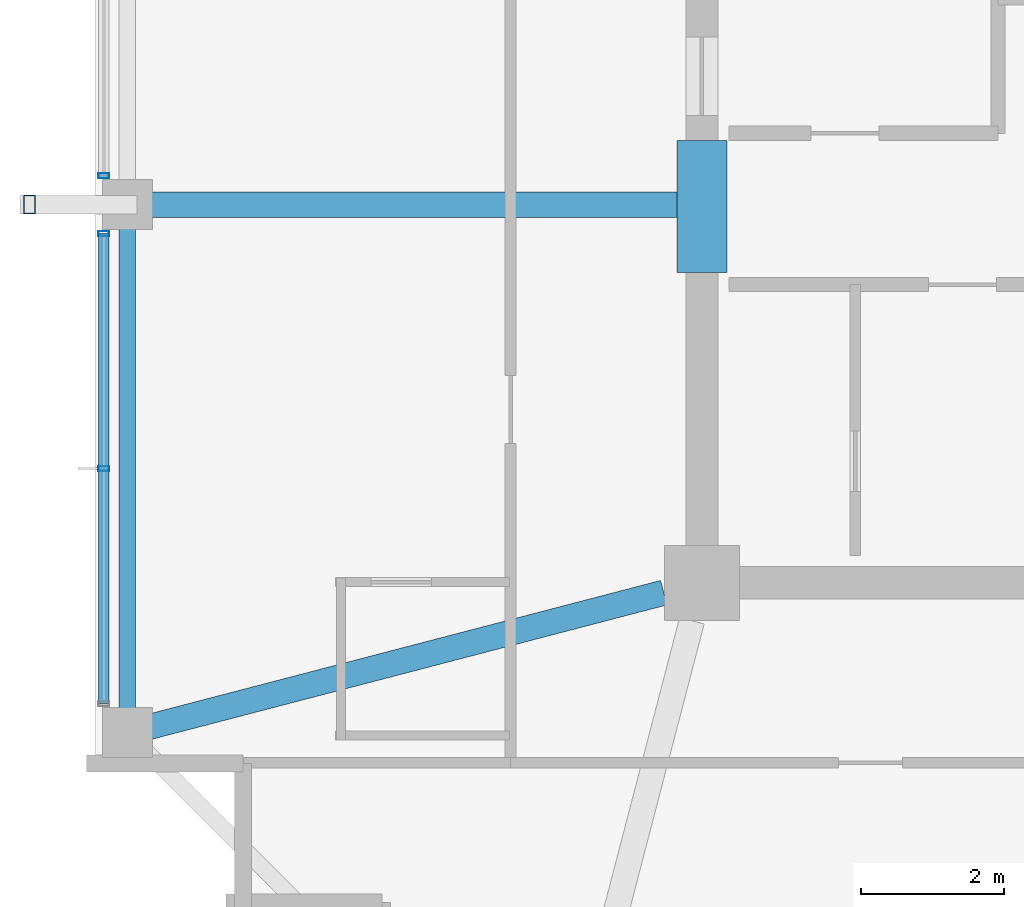
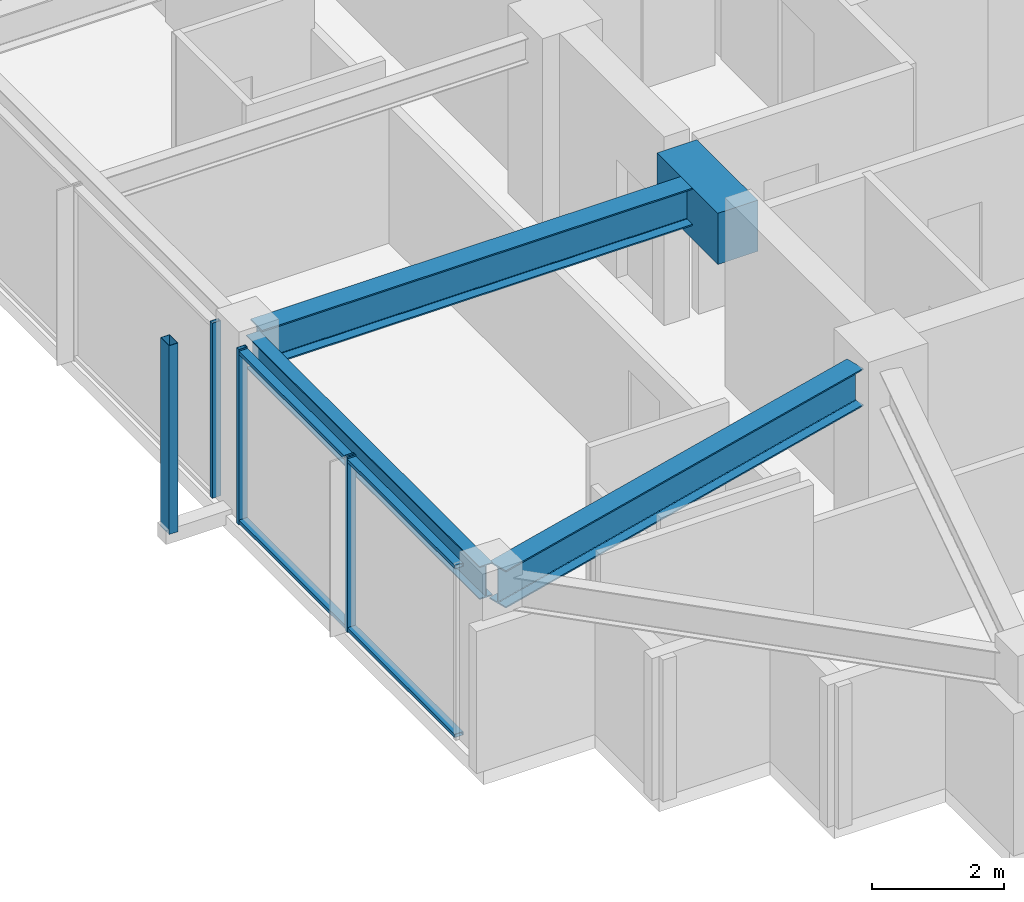
# One storey, part 4 of 29: 6 members, 4 beams, 2 elements without a shape of their own.
"""IFC4 building model written with IfcOpenShell, lengths in metres."""

from ifc_helpers import new_model, si_unit, direction, frame, origin, origin_2d, place, context, subcontext, project, spatial, rectangle, hollow_rectangle, i_section, extrude, material, material_profile, profile_set, type_object, element, aggregate, save


model = new_model("IFC4")

# Units and contexts
model_context = context("Model", 3, precision=1e-05, world=origin(), true_north=direction((0.0, 1.0)))
body_context = subcontext(model_context, "Body", "Model", "MODEL_VIEW")
ifc_project = project(units=[si_unit("LENGTHUNIT", "METRE"), si_unit("AREAUNIT", "SQUARE_METRE"), si_unit("VOLUMEUNIT", "CUBIC_METRE"), si_unit("PLANEANGLEUNIT", "RADIAN"), si_unit("MASSUNIT", "GRAM", prefix="KILO")], contexts=[model_context])

# Site, building, storey
site_placement = place(None, origin())
site = spatial("IfcSite", under=ifc_project, at=site_placement, CompositionType="ELEMENT")
building_placement = place(site_placement, origin())
building = spatial("IfcBuilding", under=site, at=building_placement, Name="Kolvaren Belvedere", CompositionType="ELEMENT")
storey_placement = place(building_placement, frame((0.0, 0.0, 244.39990234375)))
storey = spatial("IfcBuildingStorey", under=building, at=storey_placement, Name="L71", CompositionType="ELEMENT", Elevation=244.39990234375)

# Beams
ifc_material_1 = material(Name="Structural steel ASTM A992 Grade 50", Category="steel")
ifc_material_profile_1 = material_profile(ifc_material_1, i_section(OverallWidth=0.35498046875, OverallDepth=0.696044921875, WebThickness=0.015380859375, FlangeThickness=0.02490234375, FilletRadius=0.02197265625, at=origin_2d()), Name="W27X146")
ifc_profile_set_1 = profile_set([ifc_material_profile_1], Name="Structural steel ASTM A992 Grade 50")
beam_type_1 = type_object("IfcBeamType", Name="BM-GIRD-W27X146", PredefinedType="BEAM", material=ifc_profile_set_1)
beam_1_placement = place(storey_placement, frame((-10.125, -4.60009765625, 2.902099609375), z_axis=(-1.0, 0.0, 0.0), x_axis=(0.0, -1.0, 0.0)))
element("IfcBeam", 1, at=beam_1_placement, inside=storey, type_object=beam_type_1, Name="L71 West Radial Girder M", PredefinedType="BEAM", context=body_context, shape_type="SweptSolid", body=[
    extrude(i_section(OverallWidth=0.35498046875, OverallDepth=0.696044921875, WebThickness=0.015380859375, FlangeThickness=0.02490234375, FilletRadius=0.02197265625, at=origin_2d()), origin(), (0.0, 0.0, 1.0), 7.66748046875),
])
beam_2_placement = place(storey_placement, frame((-10.43212890625, -10.038818359375, 2.902099609375), z_axis=(-0.967618631679, -0.25241668651, 0.0), x_axis=(0.25241668651, -0.967618631679, 0.0)))
element("IfcBeam", 2, at=beam_2_placement, inside=storey, type_object=beam_type_1, Name="L71 Corner Core-to-Perimeter Girder CC1-W1", PredefinedType="BEAM", context=body_context, shape_type="SweptSolid", body=[
    extrude(i_section(OverallWidth=0.35498046875, OverallDepth=0.696044921875, WebThickness=0.015380859375, FlangeThickness=0.02490234375, FilletRadius=0.02197265625, at=origin_2d()), origin(), (0.0, 0.0, 1.0), 7.62939453125),
])
ifc_material_2 = material(Name="Concrete C60/75", Category="concrete")
ifc_material_profile_2 = material_profile(ifc_material_2, rectangle(XDim=0.699951171875, YDim=0.949951171875, at=origin_2d()), Name="RC 700X950")
ifc_profile_set_2 = profile_set([ifc_material_profile_2], Name="Concrete C60/75")
beam_type_2 = type_object("IfcBeamType", Name="BM-LINT-950", PredefinedType="LINTEL", material=ifc_profile_set_2)
beam_3_placement = place(storey_placement, frame((-9.89990234375, -5.550048828125, 2.775146484375), z_axis=(0.0, 1.0, 0.0), x_axis=(-1.0, 0.0, 0.0)))
element("IfcBeam", 3, at=beam_3_placement, inside=storey, type_object=beam_type_2, Name="L71 West Core Coupling Lintel", PredefinedType="LINTEL", context=body_context, shape_type="SweptSolid", body=[
    extrude(rectangle(XDim=0.699951171875, YDim=0.949951171875, at=origin_2d()), origin(), (0.0, 0.0, 1.0), 1.85009765625),
])
ifc_material_3 = material(Name="Structural steel ASTM A992 Grade 50", Category="steel")
ifc_material_profile_3 = material_profile(ifc_material_3, i_section(OverallWidth=0.22900390625, OverallDepth=0.612060546875, WebThickness=0.011962890625, FlangeThickness=0.01953125, FilletRadius=0.01806640625, at=origin_2d()), Name="W24X84")
ifc_profile_set_3 = profile_set([ifc_material_profile_3], Name="Structural steel ASTM A992 Grade 50")
beam_type_3 = type_object("IfcBeamType", Name="BM-SPAN-W24X84", PredefinedType="SPANDREL", material=ifc_profile_set_3)
beam_4_placement = place(storey_placement, frame((-17.949951171875, -4.757568359375, 2.944091796875), z_axis=(0.0, -1.0, 0.0), x_axis=(1.0, 0.0, 0.0)))
element("IfcBeam", 4, at=beam_4_placement, inside=storey, type_object=beam_type_3, Name="L71 Perimeter Spandrel W2-W1", PredefinedType="SPANDREL", context=body_context, shape_type="SweptSolid", body=[
    extrude(i_section(OverallWidth=0.22900390625, OverallDepth=0.612060546875, WebThickness=0.011962890625, FlangeThickness=0.01953125, FilletRadius=0.01806640625, at=origin_2d()), origin(), (0.0, 0.0, 1.0), 7.0849609375),
])

# Curtain wall, members
ifc_material_4 = material(Name="Anodised pale-metal aluminium AA 6063-T6", Category="aluminium")
curtain_wall_type = type_object("IfcCurtainWallType", Name="CW-Z5-HIGH", PredefinedType="NOTDEFINED", material=ifc_material_4)
curtain_wall_1_placement = place(storey_placement, origin())
curtain_wall_1 = element("IfcCurtainWall", 5, at=curtain_wall_1_placement, inside=storey, type_object=curtain_wall_type, Name="L71 Unitised Curtain Wall FCW-L71-W-B1", PredefinedType="NOTDEFINED")
ifc_material_5 = material(Name="Anodised pale-metal aluminium AA 6063-T6", Category="aluminium")
ifc_material_profile_4 = material_profile(ifc_material_5, hollow_rectangle(XDim=0.070068359375, YDim=0.14990234375, WallThickness=0.004150390625, at=origin_2d()), Name="ALU-MUL-150X70")
ifc_profile_set_4 = profile_set([ifc_material_profile_4], Name="Anodised pale-metal aluminium AA 6063-T6")
member_type_1 = type_object("IfcMemberType", Name="CW-MUL-150", PredefinedType="MULLION", material=ifc_profile_set_4)
member_1_placement = place(storey_placement, frame((-18.280029296875, -8.300048828125, 0.0), z_axis=(0.0, 0.0, 1.0), x_axis=(0.0, 1.0, 0.0)))
member_1 = element("IfcMember", 6, at=member_1_placement, type_object=member_type_1, Name="FCW-L71-W-B1 Unitised Mullion 2", PredefinedType="MULLION", context=body_context, shape_type="SweptSolid", body=[
    extrude(hollow_rectangle(XDim=0.070068359375, YDim=0.14990234375, WallThickness=0.004150390625, at=origin_2d()), origin(), (0.0, 0.0, 1.0), 3.25),
])
member_2_placement = place(storey_placement, frame((-18.280029296875, -5.0048828125, 0.0), z_axis=(0.0, 0.0, 1.0), x_axis=(0.0, 1.0, 0.0)))
member_2 = element("IfcMember", 7, at=member_2_placement, type_object=member_type_1, Name="FCW-L71-W-B1 Unitised Mullion 3", PredefinedType="MULLION", context=body_context, shape_type="SweptSolid", body=[
    extrude(hollow_rectangle(XDim=0.070068359375, YDim=0.14990234375, WallThickness=0.004150390625, at=origin_2d()), origin(), (0.0, 0.0, 1.0), 3.25),
])

# Curtain wall, member
curtain_wall_2_placement = place(storey_placement, origin())
curtain_wall_2 = element("IfcCurtainWall", 8, at=curtain_wall_2_placement, inside=storey, type_object=curtain_wall_type, Name="L71 Unitised Curtain Wall FCW-L71-W-B2", PredefinedType="NOTDEFINED")
member_3_placement = place(storey_placement, frame((-18.280029296875, -4.195068359375, 0.0), z_axis=(0.0, 0.0, 1.0), x_axis=(0.0, 1.0, 0.0)))
member_3 = element("IfcMember", 9, at=member_3_placement, type_object=member_type_1, Name="FCW-L71-W-B2 Unitised Mullion 1", PredefinedType="MULLION", context=body_context, shape_type="SweptSolid", body=[
    extrude(hollow_rectangle(XDim=0.070068359375, YDim=0.14990234375, WallThickness=0.004150390625, at=origin_2d()), origin(), (0.0, 0.0, 1.0), 3.25),
])
aggregate(curtain_wall_2, [member_3])

# Member
ifc_material_6 = material(Name="Anodised pale-metal aluminium AA 6063-T6", Category="aluminium")
ifc_material_profile_5 = material_profile(ifc_material_6, hollow_rectangle(XDim=0.06494140625, YDim=0.14990234375, WallThickness=0.00390625, at=origin_2d()), Name="ALU-TRN-150X65")
ifc_profile_set_5 = profile_set([ifc_material_profile_5], Name="Anodised pale-metal aluminium AA 6063-T6")
member_type_2 = type_object("IfcMemberType", Name="CW-TRN-150", PredefinedType="USERDEFINED", material=ifc_profile_set_5)
member_4_placement = place(storey_placement, frame((-18.280029296875, -11.594970703125, 0.06005859375), z_axis=(0.0, 1.0, 0.0), x_axis=(0.0, 0.0, 1.0)))
member_4 = element("IfcMember", 10, at=member_4_placement, type_object=member_type_2, Name="FCW-L71-W-B1 Sill Transom", ObjectType="TRANSOM", PredefinedType="USERDEFINED", context=body_context, shape_type="SweptSolid", body=[
    extrude(hollow_rectangle(XDim=0.06494140625, YDim=0.14990234375, WallThickness=0.00390625, at=origin_2d()), origin(), (0.0, 0.0, 1.0), 6.590087890625),
])

member_5_placement = place(storey_placement, frame((-18.280029296875, -11.594970703125, 3.190185546875), z_axis=(0.0, 1.0, 0.0), x_axis=(0.0, 0.0, 1.0)))
member_5 = element("IfcMember", 11, at=member_5_placement, type_object=member_type_2, Name="FCW-L71-W-B1 Head Transom", ObjectType="TRANSOM", PredefinedType="USERDEFINED", context=body_context, shape_type="SweptSolid", body=[
    extrude(hollow_rectangle(XDim=0.06494140625, YDim=0.14990234375, WallThickness=0.00390625, at=origin_2d()), origin(), (0.0, 0.0, 1.0), 6.590087890625),
])

aggregate(curtain_wall_1, [member_1, member_2, member_4, member_5])

ifc_material_7 = material(Name="Anodised pale-metal aluminium AA 6063-T6", Category="aluminium")
ifc_material_profile_6 = material_profile(ifc_material_7, hollow_rectangle(XDim=0.159912109375, YDim=0.260009765625, WallThickness=0.006591796875, at=origin_2d()), Name="ALU-PF-260X160")
ifc_profile_set_6 = profile_set([ifc_material_profile_6], Name="Anodised pale-metal aluminium AA 6063-T6")
member_type_3 = type_object("IfcMemberType", Name="PF-FRAME-260", PredefinedType="USERDEFINED", material=ifc_profile_set_6)
member_6_placement = place(storey_placement, frame((-19.320068359375, -4.60009765625, 0.0), z_axis=(0.0, 0.0, 1.0), x_axis=(1.0, 0.0, 0.0)))
element("IfcMember", 12, at=member_6_placement, inside=storey, type_object=member_type_3, Name="L71 Outboard Picture-Frame Vertical W1", ObjectType="PICTURE FRAME FIN", PredefinedType="USERDEFINED", context=body_context, shape_type="SweptSolid", body=[
    extrude(hollow_rectangle(XDim=0.159912109375, YDim=0.260009765625, WallThickness=0.006591796875, at=origin_2d()), origin(), (0.0, 0.0, 1.0), 3.5),
])

save(model, "model.ifc")
